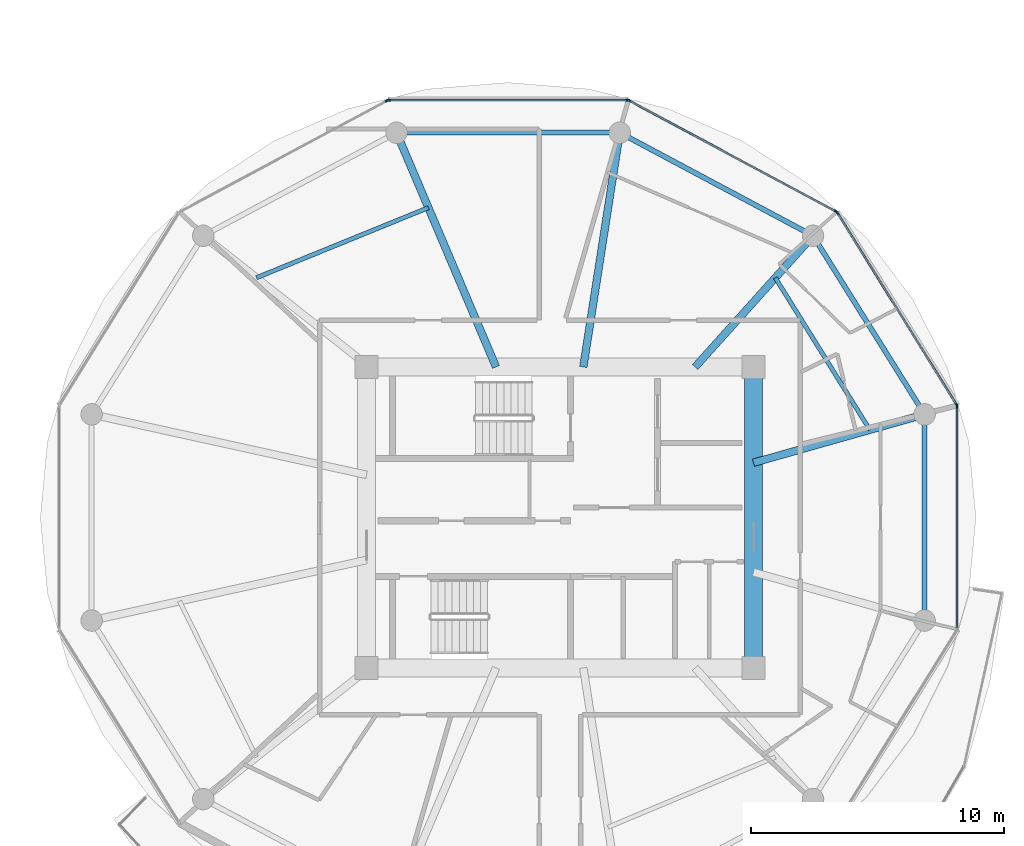
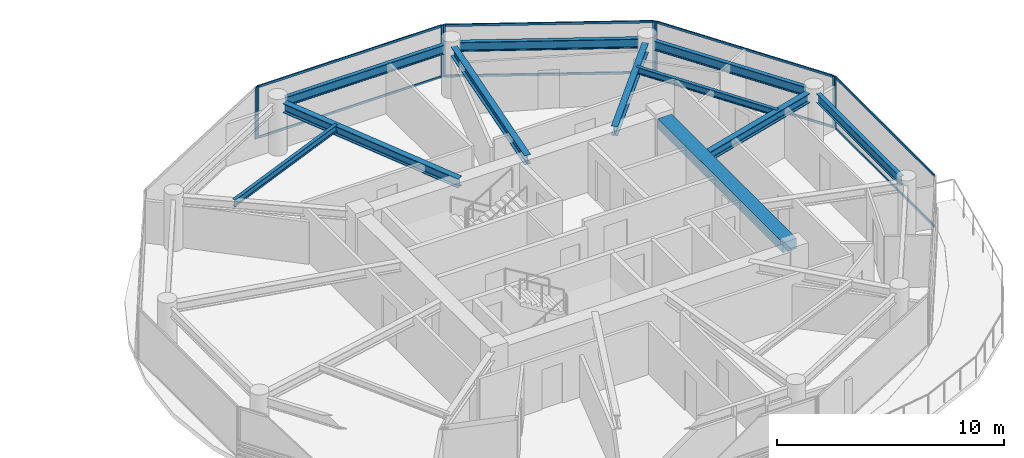
# One storey, part 11 of 22: 16 members, 11 beams, 5 elements without a shape of their own.
"""IFC4 building model written with IfcOpenShell, lengths in metres."""

from ifc_helpers import new_model, si_unit, direction, frame, origin, origin_2d, place, context, subcontext, project, spatial, rectangle, i_section, extrude, source, transform, mapped, material, layer, layer_set, material_profile, profile_set, type_object, type_shapes, element, aggregate, save


model = new_model("IFC4")

# Units and contexts
model_context = context("Model", 3, precision=1e-05, world=origin(), true_north=direction((0.0, 1.0)))
body_context = subcontext(model_context, "Body", "Model", "MODEL_VIEW")
ifc_project = project(units=[si_unit("LENGTHUNIT", "METRE"), si_unit("AREAUNIT", "SQUARE_METRE"), si_unit("VOLUMEUNIT", "CUBIC_METRE"), si_unit("PLANEANGLEUNIT", "RADIAN"), si_unit("MASSUNIT", "GRAM", prefix="KILO")], contexts=[model_context])

# Site, building, storey
site_placement = place(None, origin())
site = spatial("IfcSite", under=ifc_project, at=site_placement, CompositionType="ELEMENT")
building_placement = place(site_placement, origin())
building = spatial("IfcBuilding", under=site, at=building_placement, Name="Norrkilde Senior Care Towers", CompositionType="ELEMENT")
storey_placement = place(building_placement, frame((0.0, 0.0, 87.10009765625)))
storey = spatial("IfcBuildingStorey", under=building, at=storey_placement, Name="L26", CompositionType="ELEMENT", Elevation=87.10009765625)

# Beams
ifc_material_1 = material(Name="Concrete C60/75", Category="concrete")
ifc_material_profile_1 = material_profile(ifc_material_1, rectangle(XDim=0.699951171875, YDim=0.550048828125, at=origin_2d()), Name="RC BM 700x550")
ifc_profile_set_1 = profile_set([ifc_material_profile_1], Name="Concrete C60/75")
beam_type_1 = type_object("IfcBeamType", Name="Core Portal Coupling Beam 700x550", PredefinedType="USERDEFINED", material=ifc_profile_set_1)
shared_shape_1 = source(origin(), body_context, "Body", "SweptSolid", [
    extrude(rectangle(XDim=0.699951171875, YDim=0.550048828125, at=origin_2d()), origin(), (0.0, 0.0, 1.0), 11.0400390625),
])
type_shapes(beam_type_1, [shared_shape_1])
beam_1_placement = place(storey_placement, frame((35.64990234375, -5.52001953125, 2.514892578125), z_axis=(0.0, 1.0, 0.0), x_axis=(-1.0, 0.0, 0.0)))
element("IfcBeam", 1, at=beam_1_placement, inside=storey, type_object=beam_type_1, Name="L26 Core E E Coupling Girder", ObjectType="GIRDER", PredefinedType="USERDEFINED", context=body_context, shape_type="MappedRepresentation", body=[
    mapped(shared_shape_1, transform((0.0, 0.0, 0.0), x_axis=(1.0, 0.0, 0.0), y_axis=(0.0, 1.0, 0.0), z_axis=(0.0, 0.0, 1.0), scale=1.0)),
])
ifc_material_2 = material(Name="Steel S355", Category="steel")
ifc_material_profile_2 = material_profile(ifc_material_2, i_section(OverallWidth=0.199951171875, OverallDepth=0.5, WebThickness=0.01025390625, FlangeThickness=0.01611328125, FilletRadius=0.02099609375, at=origin_2d()), Name="IPE 500")
ifc_profile_set_2 = profile_set([ifc_material_profile_2], Name="Steel S355")
beam_type_2 = type_object("IfcBeamType", Name="Perimeter Ring Spandrel Z2 IPE500", PredefinedType="SPANDREL", material=ifc_profile_set_2)
shared_shape_2 = source(origin(), body_context, "Body", "SweptSolid", [
    extrude(i_section(OverallWidth=0.199951171875, OverallDepth=0.5, WebThickness=0.01025390625, FlangeThickness=0.01611328125, FilletRadius=0.02099609375, at=origin_2d()), origin(), (0.0, 0.0, 1.0), 7.892333984375),
])
beam_2_placement = place(storey_placement, frame((37.66650390625, 11.318115234375, 2.539794921875), z_axis=(-0.882350372282, 0.47059305194, 0.0), x_axis=(-0.47059305194, -0.882350372282, 0.0)))
element("IfcBeam", 2, at=beam_2_placement, inside=storey, type_object=beam_type_2, Name="L26 Drum E Perimeter Spandrel 02", PredefinedType="SPANDREL", context=body_context, shape_type="MappedRepresentation", body=[
    mapped(shared_shape_2, transform((0.0, 0.0, 0.0), x_axis=(1.0, 0.0, 0.0), y_axis=(0.0, 1.0, 0.0), z_axis=(0.0, 0.0, 1.0), scale=1.0)),
])
shared_shape_3 = source(origin(), body_context, "Body", "SweptSolid", [
    extrude(i_section(OverallWidth=0.199951171875, OverallDepth=0.5, WebThickness=0.01025390625, FlangeThickness=0.01611328125, FilletRadius=0.02099609375, at=origin_2d()), origin(), (0.0, 0.0, 1.0), 8.0556640625),
])
beam_3_placement = place(storey_placement, frame((29.977783203125, 15.21337890625, 2.539794921875), z_axis=(-1.0, 0.0, 0.0), x_axis=(0.0, -1.0, 0.0)))
element("IfcBeam", 3, at=beam_3_placement, inside=storey, type_object=beam_type_2, Name="L26 Drum E Perimeter Spandrel 03", PredefinedType="SPANDREL", context=body_context, shape_type="MappedRepresentation", body=[
    mapped(shared_shape_3, transform((0.0, 0.0, 0.0), x_axis=(1.0, 0.0, 0.0), y_axis=(0.0, 1.0, 0.0), z_axis=(0.0, 0.0, 1.0), scale=1.0)),
])
ifc_material_profile_3 = material_profile(ifc_material_2, i_section(OverallWidth=0.300048828125, OverallDepth=0.5, WebThickness=0.014404296875, FlangeThickness=0.028076171875, FilletRadius=0.027099609375, at=origin_2d()), Name="HEB 500")
ifc_profile_set_3 = profile_set([ifc_material_profile_3], Name="Steel S355")
beam_type_3 = type_object("IfcBeamType", Name="Radial Floor Beam Z2 HEB500", PredefinedType="BEAM", material=ifc_profile_set_3)
shared_shape_4 = source(origin(), body_context, "Body", "SweptSolid", [
    extrude(i_section(OverallWidth=0.300048828125, OverallDepth=0.5, WebThickness=0.014404296875, FlangeThickness=0.028076171875, FilletRadius=0.027099609375, at=origin_2d()), origin(), (0.0, 0.0, 1.0), 9.679443359375),
])
beam_4_placement = place(storey_placement, frame((25.472412109375, 5.949951171875, 2.539794921875), z_axis=(-0.390998033479, 0.920391513333, 0.0), x_axis=(-0.920391513333, -0.390998033479, 0.0)))
element("IfcBeam", 4, at=beam_4_placement, inside=storey, type_object=beam_type_3, Name="L26 Drum E Radial Floor Beam 04", PredefinedType="BEAM", context=body_context, shape_type="MappedRepresentation", body=[
    mapped(shared_shape_4, transform((0.0, 0.0, 0.0), x_axis=(1.0, 0.0, 0.0), y_axis=(0.0, 1.0, 0.0), z_axis=(0.0, 0.0, 1.0), scale=1.0)),
])
shared_shape_5 = source(origin(), body_context, "Body", "SweptSolid", [
    extrude(i_section(OverallWidth=0.300048828125, OverallDepth=0.5, WebThickness=0.014404296875, FlangeThickness=0.028076171875, FilletRadius=0.027099609375, at=origin_2d()), origin(), (0.0, 0.0, 1.0), 8.989501953125),
])
beam_5_placement = place(storey_placement, frame((28.924072265625, 5.949951171875, 2.539794921875), z_axis=(0.153471298636, 0.988153105796, 0.0), x_axis=(-0.988153105796, 0.153471298636, 0.0)))
element("IfcBeam", 5, at=beam_5_placement, inside=storey, type_object=beam_type_3, Name="L26 Drum E Radial Floor Beam 03", PredefinedType="BEAM", context=body_context, shape_type="MappedRepresentation", body=[
    mapped(shared_shape_5, transform((0.0, 0.0, 0.0), x_axis=(1.0, 0.0, 0.0), y_axis=(0.0, 1.0, 0.0), z_axis=(0.0, 0.0, 1.0), scale=1.0)),
])
shared_shape_6 = source(origin(), body_context, "Body", "SweptSolid", [
    extrude(i_section(OverallWidth=0.199951171875, OverallDepth=0.5, WebThickness=0.01025390625, FlangeThickness=0.01611328125, FilletRadius=0.02099609375, at=origin_2d()), origin(), (0.0, 0.0, 1.0), 7.556396484375),
])
beam_6_placement = place(storey_placement, frame((42.215087890625, 4.40283203125, 2.539794921875), z_axis=(-0.530004748437, 0.847994673706, 0.0), x_axis=(-0.847994673706, -0.530004748437, 0.0)))
element("IfcBeam", 6, at=beam_6_placement, inside=storey, type_object=beam_type_2, Name="L26 Drum E Perimeter Spandrel 01", PredefinedType="SPANDREL", context=body_context, shape_type="MappedRepresentation", body=[
    mapped(shared_shape_6, transform((0.0, 0.0, 0.0), x_axis=(1.0, 0.0, 0.0), y_axis=(0.0, 1.0, 0.0), z_axis=(0.0, 0.0, 1.0), scale=1.0)),
])
shared_shape_7 = source(origin(), body_context, "Body", "SweptSolid", [
    extrude(i_section(OverallWidth=0.300048828125, OverallDepth=0.5, WebThickness=0.014404296875, FlangeThickness=0.028076171875, FilletRadius=0.027099609375, at=origin_2d()), origin(), (0.0, 0.0, 1.0), 6.587890625),
])
beam_7_placement = place(storey_placement, frame((33.345947265625, 5.949951171875, 2.539794921875), z_axis=(0.668315438605, 0.743877997068, 0.0), x_axis=(-0.743877997068, 0.668315438605, 0.0)))
element("IfcBeam", 7, at=beam_7_placement, inside=storey, type_object=beam_type_3, Name="L26 Drum E Radial Floor Beam 02", PredefinedType="BEAM", context=body_context, shape_type="MappedRepresentation", body=[
    mapped(shared_shape_7, transform((0.0, 0.0, 0.0), x_axis=(1.0, 0.0, 0.0), y_axis=(0.0, 1.0, 0.0), z_axis=(0.0, 0.0, 1.0), scale=1.0)),
])
shared_shape_8 = source(origin(), body_context, "Body", "SweptSolid", [
    extrude(i_section(OverallWidth=0.199951171875, OverallDepth=0.5, WebThickness=0.01025390625, FlangeThickness=0.01611328125, FilletRadius=0.02099609375, at=origin_2d()), origin(), (0.0, 0.0, 1.0), 7.3828125),
])
type_shapes(beam_type_2, [shared_shape_2, shared_shape_3, shared_shape_6, shared_shape_8])
beam_8_placement = place(storey_placement, frame((42.4189453125, -3.69140625, 2.539794921875), z_axis=(0.0, 1.0, 0.0), x_axis=(-1.0, 0.0, 0.0)))
element("IfcBeam", 8, at=beam_8_placement, inside=storey, type_object=beam_type_2, Name="L26 Drum E Perimeter Spandrel 12", PredefinedType="SPANDREL", context=body_context, shape_type="MappedRepresentation", body=[
    mapped(shared_shape_8, transform((0.0, 0.0, 0.0), x_axis=(1.0, 0.0, 0.0), y_axis=(0.0, 1.0, 0.0), z_axis=(0.0, 0.0, 1.0), scale=1.0)),
])
shared_shape_9 = source(origin(), body_context, "Body", "SweptSolid", [
    extrude(i_section(OverallWidth=0.300048828125, OverallDepth=0.5, WebThickness=0.014404296875, FlangeThickness=0.028076171875, FilletRadius=0.027099609375, at=origin_2d()), origin(), (0.0, 0.0, 1.0), 6.6494140625),
])
type_shapes(beam_type_3, [shared_shape_4, shared_shape_5, shared_shape_7, shared_shape_9])
beam_9_placement = place(storey_placement, frame((35.64990234375, 2.162841796875, 2.539794921875), z_axis=(0.962289138357, 0.27202870106, 0.0), x_axis=(-0.27202870106, 0.962289138357, 0.0)))
element("IfcBeam", 9, at=beam_9_placement, inside=storey, type_object=beam_type_3, Name="L26 Drum E Radial Floor Beam 01", PredefinedType="BEAM", context=body_context, shape_type="MappedRepresentation", body=[
    mapped(shared_shape_9, transform((0.0, 0.0, 0.0), x_axis=(1.0, 0.0, 0.0), y_axis=(0.0, 1.0, 0.0), z_axis=(0.0, 0.0, 1.0), scale=1.0)),
])
ifc_material_profile_4 = material_profile(ifc_material_2, i_section(OverallWidth=0.169921875, OverallDepth=0.360107421875, WebThickness=0.008056640625, FlangeThickness=0.0126953125, FilletRadius=0.01806640625, at=origin_2d()), Name="IPE 360")
ifc_profile_set_4 = profile_set([ifc_material_profile_4], Name="Steel S355")
beam_type_4 = type_object("IfcBeamType", Name="Secondary Floor Joist IPE360", PredefinedType="JOIST", material=ifc_profile_set_4)
shared_shape_10 = source(origin(), body_context, "Body", "SweptSolid", [
    extrude(i_section(OverallWidth=0.169921875, OverallDepth=0.360107421875, WebThickness=0.008056640625, FlangeThickness=0.0126953125, FilletRadius=0.01806640625, at=origin_2d()), origin(), (0.0, 0.0, 1.0), 7.343505859375),
])
beam_10_placement = place(storey_placement, frame((22.79638671875, 12.2490234375, 2.60986328125), z_axis=(-0.926021784767, -0.377470070519, 0.0), x_axis=(0.377470070519, -0.926021784767, 0.0)))
element("IfcBeam", 10, at=beam_10_placement, inside=storey, type_object=beam_type_4, Name="L26 Drum E Secondary Floor Joist 2", PredefinedType="JOIST", context=body_context, shape_type="MappedRepresentation", body=[
    mapped(shared_shape_10, transform((0.0, 0.0, 0.0), x_axis=(1.0, 0.0, 0.0), y_axis=(0.0, 1.0, 0.0), z_axis=(0.0, 0.0, 1.0), scale=1.0)),
])
shared_shape_11 = source(origin(), body_context, "Body", "SweptSolid", [
    extrude(i_section(OverallWidth=0.169921875, OverallDepth=0.360107421875, WebThickness=0.008056640625, FlangeThickness=0.0126953125, FilletRadius=0.01806640625, at=origin_2d()), origin(), (0.0, 0.0, 1.0), 7.080078125),
])
type_shapes(beam_type_4, [shared_shape_10, shared_shape_11])
beam_11_placement = place(storey_placement, frame((40.2529296875, 3.464111328125, 2.60986328125), z_axis=(-0.527961009189, 0.849268610497, 0.0), x_axis=(-0.849268610497, -0.527961009189, 0.0)))
element("IfcBeam", 11, at=beam_11_placement, inside=storey, type_object=beam_type_4, Name="L26 Drum E Secondary Floor Joist 1", PredefinedType="JOIST", context=body_context, shape_type="MappedRepresentation", body=[
    mapped(shared_shape_11, transform((0.0, 0.0, 0.0), x_axis=(1.0, 0.0, 0.0), y_axis=(0.0, 1.0, 0.0), z_axis=(0.0, 0.0, 1.0), scale=1.0)),
])

# Curtain wall, members
ifc_material_3 = material(Name="Triple Low-E Insulated Glazing", Category="glass")
ifc_layer = layer(ifc_material_3, 0.195068359375)
ifc_layer_set = layer_set([ifc_layer], Name="Triple Low-E Insulated Glazing")
curtain_wall_type = type_object("IfcCurtainWallType", Name="CW3 Zone 2 Assisted Living Curtain Wall", PredefinedType="NOTDEFINED", material=ifc_layer_set)
curtain_wall_1_placement = place(storey_placement, origin())
curtain_wall_1 = element("IfcCurtainWall", 12, at=curtain_wall_1_placement, inside=storey, type_object=curtain_wall_type, Name="L26 Drum E Curtain Wall 00", PredefinedType="NOTDEFINED")
ifc_material_4 = material(Name="Anodised Aluminium", Category="aluminium")
ifc_material_profile_5 = material_profile(ifc_material_4, rectangle(XDim=0.06494140625, YDim=0.159912109375, at=origin_2d()), Name="ALU MULL 65x160")
ifc_profile_set_5 = profile_set([ifc_material_profile_5], Name="Anodised Aluminium")
member_type_1 = type_object("IfcMemberType", Name="Curtain Wall Mullion Z1-Z2 65x160", PredefinedType="MULLION", material=ifc_profile_set_5)
shared_shape_12 = source(origin(), body_context, "Body", "SweptSolid", [
    extrude(rectangle(XDim=0.06494140625, YDim=0.159912109375, at=origin_2d()), origin(), (0.0, 0.0, 1.0), 2.789794921875),
])
type_shapes(member_type_1, [shared_shape_12])
member_1_placement = place(storey_placement, frame((38.9638671875, 12.0498046875, 0.0), z_axis=(0.0, 0.0, 1.0), x_axis=(0.849410171862, 0.527733228002, 0.0)))
member_1 = element("IfcMember", 13, at=member_1_placement, type_object=member_type_1, Name="CW-3 mullion 1", PredefinedType="MULLION", context=body_context, shape_type="MappedRepresentation", body=[
    mapped(shared_shape_12, transform((0.0, 0.0, 0.0), x_axis=(1.0, 0.0, 0.0), y_axis=(0.0, 1.0, 0.0), z_axis=(0.0, 0.0, 1.0), scale=1.0)),
])
member_2_placement = place(storey_placement, frame((43.6865234375, 4.4482421875, 0.0), z_axis=(0.0, 0.0, 1.0), x_axis=(0.849410171862, 0.527733228002, 0.0)))
member_2 = element("IfcMember", 14, at=member_2_placement, type_object=member_type_1, Name="CW-3 mullion 2", PredefinedType="MULLION", context=body_context, shape_type="MappedRepresentation", body=[
    mapped(shared_shape_12, transform((0.0, 0.0, 0.0), x_axis=(1.0, 0.0, 0.0), y_axis=(0.0, 1.0, 0.0), z_axis=(0.0, 0.0, 1.0), scale=1.0)),
])

curtain_wall_2_placement = place(storey_placement, origin())
curtain_wall_2 = element("IfcCurtainWall", 15, at=curtain_wall_2_placement, inside=storey, type_object=curtain_wall_type, Name="L26 Drum E Curtain Wall 01", PredefinedType="NOTDEFINED")
member_3_placement = place(storey_placement, frame((30.73583984375, 16.482666015625, 0.0), z_axis=(0.0, 0.0, 1.0), x_axis=(0.472769402511, 0.881186184668, 0.0)))
member_3 = element("IfcMember", 16, at=member_3_placement, type_object=member_type_1, Name="CW-3 mullion 1", PredefinedType="MULLION", context=body_context, shape_type="MappedRepresentation", body=[
    mapped(shared_shape_12, transform((0.0, 0.0, 0.0), x_axis=(1.0, 0.0, 0.0), y_axis=(0.0, 1.0, 0.0), z_axis=(0.0, 0.0, 1.0), scale=1.0)),
])
member_4_placement = place(storey_placement, frame((38.91796875, 12.0927734375, 0.0), z_axis=(0.0, 0.0, 1.0), x_axis=(0.472769402511, 0.881186184668, 0.0)))
member_4 = element("IfcMember", 17, at=member_4_placement, type_object=member_type_1, Name="CW-3 mullion 2", PredefinedType="MULLION", context=body_context, shape_type="MappedRepresentation", body=[
    mapped(shared_shape_12, transform((0.0, 0.0, 0.0), x_axis=(1.0, 0.0, 0.0), y_axis=(0.0, 1.0, 0.0), z_axis=(0.0, 0.0, 1.0), scale=1.0)),
])

curtain_wall_3_placement = place(storey_placement, origin())
curtain_wall_3 = element("IfcCurtainWall", 18, at=curtain_wall_3_placement, inside=storey, type_object=curtain_wall_type, Name="L26 Drum E Curtain Wall 02", PredefinedType="NOTDEFINED")
member_5_placement = place(storey_placement, frame((21.225341796875, 16.498046875, 0.0), z_axis=(0.0, 0.0, 1.0), x_axis=(0.0, 1.0, 0.0)))
member_5 = element("IfcMember", 19, at=member_5_placement, type_object=member_type_1, Name="CW-3 mullion 1", PredefinedType="MULLION", context=body_context, shape_type="MappedRepresentation", body=[
    mapped(shared_shape_12, transform((0.0, 0.0, 0.0), x_axis=(1.0, 0.0, 0.0), y_axis=(0.0, 1.0, 0.0), z_axis=(0.0, 0.0, 1.0), scale=1.0)),
])
member_6_placement = place(storey_placement, frame((30.674560546875, 16.498046875, 0.0), z_axis=(0.0, 0.0, 1.0), x_axis=(0.0, 1.0, 0.0)))
member_6 = element("IfcMember", 20, at=member_6_placement, type_object=member_type_1, Name="CW-3 mullion 2", PredefinedType="MULLION", context=body_context, shape_type="MappedRepresentation", body=[
    mapped(shared_shape_12, transform((0.0, 0.0, 0.0), x_axis=(1.0, 0.0, 0.0), y_axis=(0.0, 1.0, 0.0), z_axis=(0.0, 0.0, 1.0), scale=1.0)),
])

# Curtain wall, member
curtain_wall_4_placement = place(storey_placement, origin())
curtain_wall_4 = element("IfcCurtainWall", 21, at=curtain_wall_4_placement, inside=storey, type_object=curtain_wall_type, Name="L26 Drum E Curtain Wall 03", PredefinedType="NOTDEFINED")
member_7_placement = place(storey_placement, frame((21.164306640625, 16.482666015625, 0.0), z_axis=(0.0, 0.0, 1.0), x_axis=(-0.472769402511, 0.881186184668, 0.0)))
member_7 = element("IfcMember", 22, at=member_7_placement, type_object=member_type_1, Name="CW-3 mullion 2", PredefinedType="MULLION", context=body_context, shape_type="MappedRepresentation", body=[
    mapped(shared_shape_12, transform((0.0, 0.0, 0.0), x_axis=(1.0, 0.0, 0.0), y_axis=(0.0, 1.0, 0.0), z_axis=(0.0, 0.0, 1.0), scale=1.0)),
])
aggregate(curtain_wall_4, [member_7])

curtain_wall_5_placement = place(storey_placement, origin())
curtain_wall_5 = element("IfcCurtainWall", 23, at=curtain_wall_5_placement, inside=storey, type_object=curtain_wall_type, Name="L26 Drum E Curtain Wall 11", PredefinedType="NOTDEFINED")
member_8_placement = place(storey_placement, frame((43.70361328125, 4.38818359375, 0.0), z_axis=(0.0, 0.0, 1.0), x_axis=(1.0, 0.0, 0.0)))
member_8 = element("IfcMember", 24, at=member_8_placement, type_object=member_type_1, Name="CW-3 mullion 1", PredefinedType="MULLION", context=body_context, shape_type="MappedRepresentation", body=[
    mapped(shared_shape_12, transform((0.0, 0.0, 0.0), x_axis=(1.0, 0.0, 0.0), y_axis=(0.0, 1.0, 0.0), z_axis=(0.0, 0.0, 1.0), scale=1.0)),
])

# Member
ifc_material_profile_6 = material_profile(ifc_material_4, rectangle(XDim=0.06005859375, YDim=0.1201171875, at=origin_2d()), Name="ALU TRAN 60x120")
ifc_profile_set_6 = profile_set([ifc_material_profile_6], Name="Anodised Aluminium")
member_type_2 = type_object("IfcMemberType", Name="Curtain Wall Transom Typical 60x120", PredefinedType="USERDEFINED", material=ifc_profile_set_6)
shared_shape_13 = source(origin(), body_context, "Body", "SweptSolid", [
    extrude(rectangle(XDim=0.06005859375, YDim=0.1201171875, at=origin_2d()), origin(), (0.0, 0.0, 1.0), 8.88427734375),
])
member_9_placement = place(storey_placement, frame((38.98095703125, 12.022216796875, 0.02978515625), z_axis=(0.527729466743, -0.849412508697, 0.0), x_axis=(0.849412508697, 0.527729466743, 0.0)))
member_9 = element("IfcMember", 25, at=member_9_placement, type_object=member_type_2, Name="CW-3 transom 1.1", ObjectType="TRANSOM", PredefinedType="USERDEFINED", context=body_context, shape_type="MappedRepresentation", body=[
    mapped(shared_shape_13, transform((0.0, 0.0, 0.0), x_axis=(1.0, 0.0, 0.0), y_axis=(0.0, 1.0, 0.0), z_axis=(0.0, 0.0, 1.0), scale=1.0)),
])

member_10_placement = place(storey_placement, frame((38.98095703125, 12.022216796875, 2.760009765625), z_axis=(0.527729466743, -0.849412508697, 0.0), x_axis=(0.849412508697, 0.527729466743, 0.0)))
member_10 = element("IfcMember", 26, at=member_10_placement, type_object=member_type_2, Name="CW-3 transom 1.2", ObjectType="TRANSOM", PredefinedType="USERDEFINED", context=body_context, shape_type="MappedRepresentation", body=[
    mapped(shared_shape_13, transform((0.0, 0.0, 0.0), x_axis=(1.0, 0.0, 0.0), y_axis=(0.0, 1.0, 0.0), z_axis=(0.0, 0.0, 1.0), scale=1.0)),
])

aggregate(curtain_wall_1, [member_1, member_2, member_9, member_10])

shared_shape_14 = source(origin(), body_context, "Body", "SweptSolid", [
    extrude(rectangle(XDim=0.06005859375, YDim=0.1201171875, at=origin_2d()), origin(), (0.0, 0.0, 1.0), 9.220458984375),
])
member_11_placement = place(storey_placement, frame((30.764404296875, 16.46728515625, 0.02978515625), z_axis=(0.881188517866, -0.472765053681, 0.0), x_axis=(0.472765053681, 0.881188517866, 0.0)))
member_11 = element("IfcMember", 27, at=member_11_placement, type_object=member_type_2, Name="CW-3 transom 1.1", ObjectType="TRANSOM", PredefinedType="USERDEFINED", context=body_context, shape_type="MappedRepresentation", body=[
    mapped(shared_shape_14, transform((0.0, 0.0, 0.0), x_axis=(1.0, 0.0, 0.0), y_axis=(0.0, 1.0, 0.0), z_axis=(0.0, 0.0, 1.0), scale=1.0)),
])

member_12_placement = place(storey_placement, frame((30.764404296875, 16.46728515625, 2.760009765625), z_axis=(0.881188517866, -0.472765053681, 0.0), x_axis=(0.472765053681, 0.881188517866, 0.0)))
member_12 = element("IfcMember", 28, at=member_12_placement, type_object=member_type_2, Name="CW-3 transom 1.2", ObjectType="TRANSOM", PredefinedType="USERDEFINED", context=body_context, shape_type="MappedRepresentation", body=[
    mapped(shared_shape_14, transform((0.0, 0.0, 0.0), x_axis=(1.0, 0.0, 0.0), y_axis=(0.0, 1.0, 0.0), z_axis=(0.0, 0.0, 1.0), scale=1.0)),
])

aggregate(curtain_wall_2, [member_3, member_4, member_11, member_12])

shared_shape_15 = source(origin(), body_context, "Body", "SweptSolid", [
    extrude(rectangle(XDim=0.06005859375, YDim=0.1201171875, at=origin_2d()), origin(), (0.0, 0.0, 1.0), 9.38427734375),
])
member_13_placement = place(storey_placement, frame((21.2578125, 16.498046875, 0.02978515625), z_axis=(1.0, 0.0, 0.0), x_axis=(0.0, 1.0, 0.0)))
member_13 = element("IfcMember", 29, at=member_13_placement, type_object=member_type_2, Name="CW-3 transom 1.1", ObjectType="TRANSOM", PredefinedType="USERDEFINED", context=body_context, shape_type="MappedRepresentation", body=[
    mapped(shared_shape_15, transform((0.0, 0.0, 0.0), x_axis=(1.0, 0.0, 0.0), y_axis=(0.0, 1.0, 0.0), z_axis=(0.0, 0.0, 1.0), scale=1.0)),
])

member_14_placement = place(storey_placement, frame((21.2578125, 16.498046875, 2.760009765625), z_axis=(1.0, 0.0, 0.0), x_axis=(0.0, 1.0, 0.0)))
member_14 = element("IfcMember", 30, at=member_14_placement, type_object=member_type_2, Name="CW-3 transom 1.2", ObjectType="TRANSOM", PredefinedType="USERDEFINED", context=body_context, shape_type="MappedRepresentation", body=[
    mapped(shared_shape_15, transform((0.0, 0.0, 0.0), x_axis=(1.0, 0.0, 0.0), y_axis=(0.0, 1.0, 0.0), z_axis=(0.0, 0.0, 1.0), scale=1.0)),
])

aggregate(curtain_wall_3, [member_5, member_6, member_13, member_14])

shared_shape_16 = source(origin(), body_context, "Body", "SweptSolid", [
    extrude(rectangle(XDim=0.06005859375, YDim=0.1201171875, at=origin_2d()), origin(), (0.0, 0.0, 1.0), 8.71142578125),
])
type_shapes(member_type_2, [shared_shape_13, shared_shape_14, shared_shape_15, shared_shape_16])
member_15_placement = place(storey_placement, frame((43.70361328125, 4.355712890625, 0.02978515625), z_axis=(0.0, -1.0, 0.0), x_axis=(1.0, 0.0, 0.0)))
member_15 = element("IfcMember", 31, at=member_15_placement, type_object=member_type_2, Name="CW-3 transom 1.1", ObjectType="TRANSOM", PredefinedType="USERDEFINED", context=body_context, shape_type="MappedRepresentation", body=[
    mapped(shared_shape_16, transform((0.0, 0.0, 0.0), x_axis=(1.0, 0.0, 0.0), y_axis=(0.0, 1.0, 0.0), z_axis=(0.0, 0.0, 1.0), scale=1.0)),
])

member_16_placement = place(storey_placement, frame((43.70361328125, 4.355712890625, 2.760009765625), z_axis=(0.0, -1.0, 0.0), x_axis=(1.0, 0.0, 0.0)))
member_16 = element("IfcMember", 32, at=member_16_placement, type_object=member_type_2, Name="CW-3 transom 1.2", ObjectType="TRANSOM", PredefinedType="USERDEFINED", context=body_context, shape_type="MappedRepresentation", body=[
    mapped(shared_shape_16, transform((0.0, 0.0, 0.0), x_axis=(1.0, 0.0, 0.0), y_axis=(0.0, 1.0, 0.0), z_axis=(0.0, 0.0, 1.0), scale=1.0)),
])

aggregate(curtain_wall_5, [member_8, member_15, member_16])

save(model, "model.ifc")
